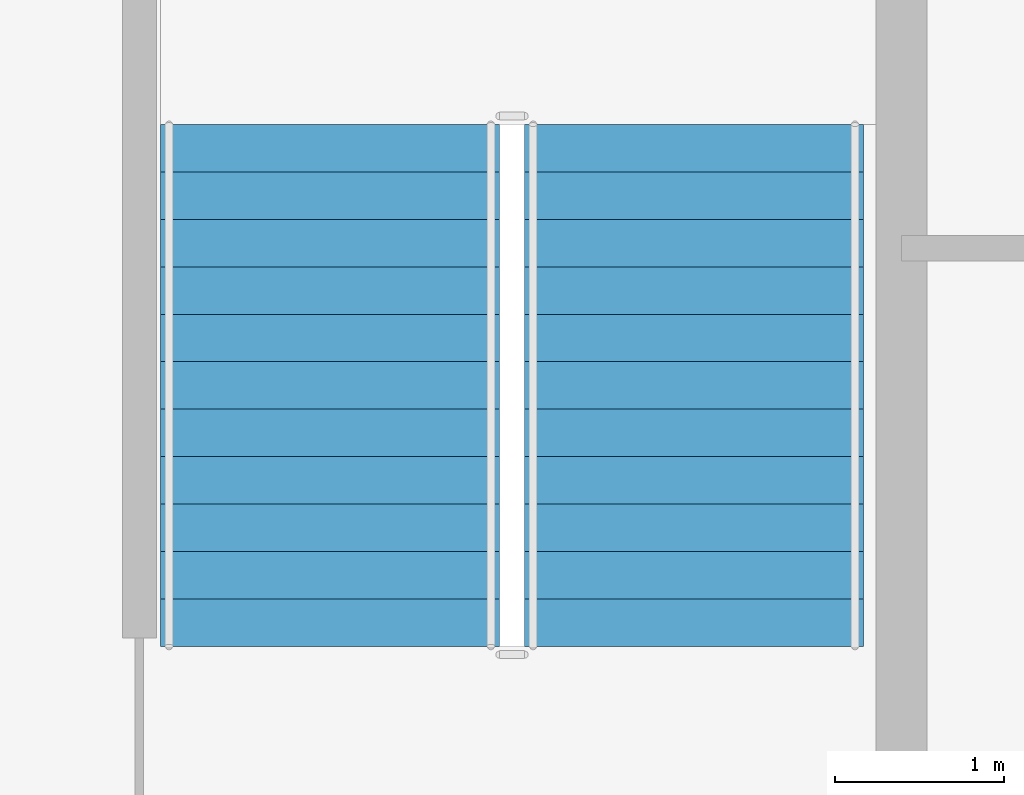
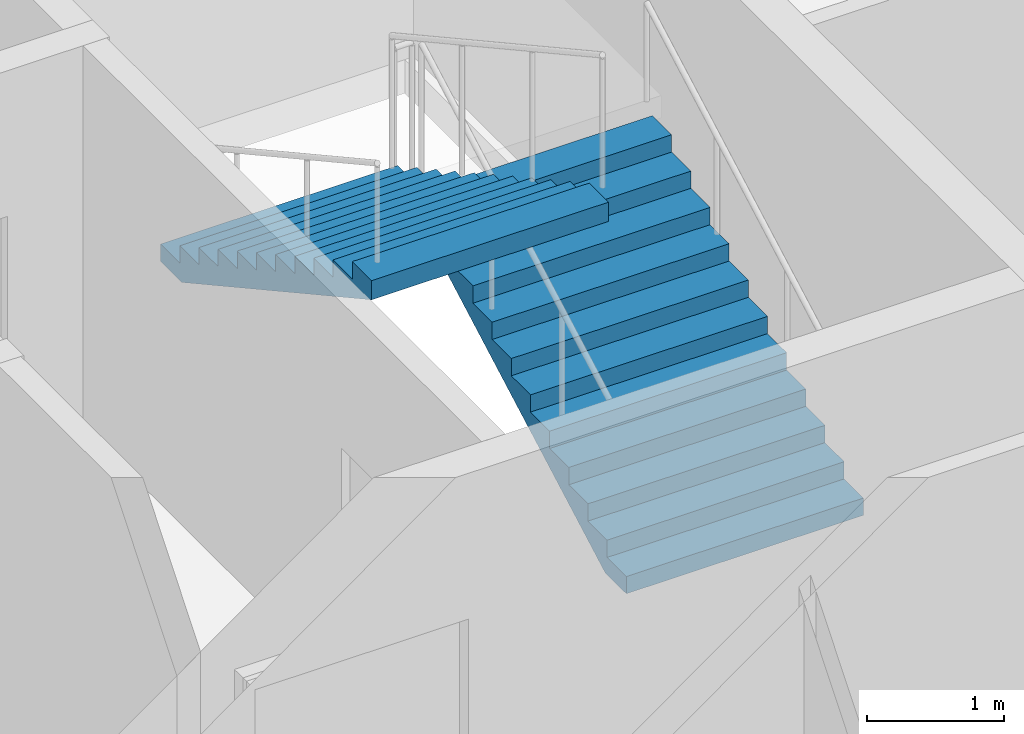
# One storey, part 11 of 13: 2 stair flights, 1 element without a shape of its own.
"""IFC4 building model written with IfcOpenShell, lengths in metres."""

import ifcopenshell
import ifcopenshell.guid

model = None  # the IFC model being written
_history = None  # IfcOwnerHistory: only IFC2X3 demands one
_inside = {}  # id of a spatial element -> (the spatial element, [elements in it])
_under = {}  # id of a project, library or spatial element -> (it, [spatial elements below it])
_declared = {}  # id of a project -> (the project, [libraries it declares])
_typed = {}  # id of a type object -> (the type object, [elements of that type])
_made_of = {}  # id of a material, layer set ... -> (it, [elements and type objects made of it])


def new_model(schema):
    """Start an empty IFC model of exactly this schema.

    Asked for "IFC4X3", IfcOpenShell would pick the latest addendum, in which some entities
    have other attributes; the version numbers below select the first issue.
    IFC2X3 requires an IfcOwnerHistory on every rooted entity: one is made here for all.
    """
    global model, _history
    if schema == "IFC4X3":
        model = ifcopenshell.file(schema_version=(4, 3, 0, 0))
    else:
        model = ifcopenshell.file(schema=schema)
    _inside.clear()
    _under.clear()
    _declared.clear()
    _typed.clear()
    _made_of.clear()
    _history = None
    if model.schema == "IFC2X3":
        org = make("IfcOrganization", Name="unknown")
        user = make(
            "IfcPersonAndOrganization",
            ThePerson=make("IfcPerson", FamilyName="unknown"),
            TheOrganization=org,
        )
        app = make(
            "IfcApplication",
            ApplicationDeveloper=org,
            Version="unknown",
            ApplicationFullName="unknown",
            ApplicationIdentifier="unknown",
        )
        _history = make(
            "IfcOwnerHistory",
            OwningUser=user,
            OwningApplication=app,
            ChangeAction="ADDED",
            CreationDate=0,
        )
    return model


def make(cls, **values):
    """One entity of the class cls with the attributes given. An attribute that is None is left unset."""
    return model.create_entity(
        cls, **{name: value for name, value in values.items() if value is not None}
    )


def rooted(cls, **values):
    """An entity with a GlobalId (a new one), such as an element, a storey or a relation."""
    return make(cls, GlobalId=ifcopenshell.guid.new(), OwnerHistory=_history, **values)


def si_unit(unit_type, name, prefix=None):
    """IfcSIUnit, for example si_unit("LENGTHUNIT", "METRE", prefix="MILLI")."""
    return make("IfcSIUnit", UnitType=unit_type, Prefix=prefix, Name=name)


def assignment(units):
    """IfcUnitAssignment: the units of a project."""
    return None if units is None else make("IfcUnitAssignment", Units=units)


def point(xyz):
    """IfcCartesianPoint."""
    return None if xyz is None else make("IfcCartesianPoint", Coordinates=xyz)


def direction(xyz):
    """IfcDirection."""
    return None if xyz is None else make("IfcDirection", DirectionRatios=xyz)


def frame(location, z_axis=None, x_axis=None):
    """IfcAxis2Placement3D, a coordinate frame: its origin and axes. An axis left out is left unset."""
    return make(
        "IfcAxis2Placement3D",
        Location=point(location),
        Axis=direction(z_axis),
        RefDirection=direction(x_axis),
    )


def origin():
    """The frame at (0, 0, 0) with its axes left unset."""
    return frame((0.0, 0.0, 0.0))


def place(relative_to, where):
    """IfcLocalPlacement: puts the frame where relative to a parent placement (None: the world)."""
    return make(
        "IfcLocalPlacement", PlacementRelTo=relative_to, RelativePlacement=where
    )


def context(
    kind, dimensions, precision=None, world=None, true_north=None, identifier=None
):
    """IfcGeometricRepresentationContext, for example the 3D "Model" context."""
    return make(
        "IfcGeometricRepresentationContext",
        ContextIdentifier=identifier,
        ContextType=kind,
        CoordinateSpaceDimension=dimensions,
        Precision=precision,
        WorldCoordinateSystem=world,
        TrueNorth=true_north,
    )


def subcontext(parent, identifier, kind, view, scale=None):
    """IfcGeometricRepresentationSubContext, for example "Body" below "Model"."""
    return make(
        "IfcGeometricRepresentationSubContext",
        ContextIdentifier=identifier,
        ContextType=kind,
        ParentContext=parent,
        TargetScale=scale,
        TargetView=view,
    )


def project(units=None, contexts=None):
    """IfcProject with its units and contexts."""
    return rooted(
        "IfcProject",
        Name="project",
        RepresentationContexts=contexts,
        UnitsInContext=assignment(units),
    )


def spatial(cls, under=None, at=None, **own):
    """A site, building, storey or space (cls), placed at a placement, below another one or the project."""
    s = rooted(cls, ObjectPlacement=at, **own)
    if under is not None:
        _under.setdefault(under.id(), (under, []))[1].append(s)
    return s


def point_list(points):
    """IfcCartesianPointList2D or 3D."""
    cls = (
        "IfcCartesianPointList2D" if len(points[0]) == 2 else "IfcCartesianPointList3D"
    )
    return make(cls, CoordList=points)


def polygons(points, faces, closed=None, point_numbers=None):
    """IfcPolygonalFaceSet: a face is its outer loop, then its inner loops; points numbered from 1."""
    made = []
    for loops in faces:
        if len(loops) == 1:
            made.append(make("IfcIndexedPolygonalFace", CoordIndex=loops[0]))
        else:
            made.append(
                make(
                    "IfcIndexedPolygonalFaceWithVoids",
                    CoordIndex=loops[0],
                    InnerCoordIndices=loops[1:],
                )
            )
    return make(
        "IfcPolygonalFaceSet",
        Coordinates=point_list(points),
        Closed=closed,
        Faces=made,
        PnIndex=point_numbers,
    )


def shape(context_of_items, identifier, shape_type, items):
    """IfcShapeRepresentation: the items that make up one representation, for example the "Body"."""
    return make(
        "IfcShapeRepresentation",
        ContextOfItems=context_of_items,
        RepresentationIdentifier=identifier,
        RepresentationType=shape_type,
        Items=items,
    )


def material(Name=None, Category=None):
    """IfcMaterial."""
    return make("IfcMaterial", Name=Name, Category=Category)


def made_of(thing, what):
    """Note that an element or type object is made of a material, layer set ...; save() writes the relation."""
    if what is not None:
        _made_of.setdefault(what.id(), (what, []))[1].append(thing)
    return thing


def type_object(cls, material=None, **own):
    """A type object (cls), such as IfcWallType, which elements share."""
    return made_of(rooted(cls, **own), material)


def element(
    cls,
    number,
    at=None,
    inside=None,
    cuts=None,
    type_object=None,
    material=None,
    context=None,
    identifier="Body",
    shape_type=None,
    held_by="IfcProductDefinitionShape",
    body=None,
    shapes=None,
    **own,
):
    """One element of the class cls, such as IfcWall. Its Tag is "e" and its number.

    at: its placement. inside: the storey or other place that contains it. cuts: it is an
    opening in that element (IfcRelVoidsElement). A single representation is given by context,
    identifier, shape_type and body (its items); several are given by shapes. held_by: the class
    of the entity that holds the representations. save() writes the other relations.
    """
    e = rooted(cls, Tag="e%d" % number, ObjectPlacement=at, **own)
    if body is not None:
        shapes = [shape(context, identifier, shape_type, body)]
    if shapes is not None:
        e.Representation = make(held_by, Representations=shapes)
    if inside is not None:
        _inside.setdefault(inside.id(), (inside, []))[1].append(e)
    if cuts is not None:
        rooted(
            "IfcRelVoidsElement", RelatingBuildingElement=cuts, RelatedOpeningElement=e
        )
    if type_object is not None:
        _typed.setdefault(type_object.id(), (type_object, []))[1].append(e)
    return made_of(e, material)


def aggregate(whole, parts):
    """IfcRelAggregates: a whole, such as a stair, and the parts it consists of."""
    return rooted("IfcRelAggregates", RelatingObject=whole, RelatedObjects=parts)


def save(model, path):
    """Write the relations noted so far, then the file.

    IfcRelAggregates (storeys below a building ...), IfcRelContainedInSpatialStructure (elements
    in a storey), IfcRelDefinesByType, IfcRelAssociatesMaterial and IfcRelDeclares: one each for
    every whole, place, type object, material and project.
    """
    for whole, parts in _under.values():
        aggregate(whole, parts)
    for where, things in _inside.values():
        rooted(
            "IfcRelContainedInSpatialStructure",
            RelatedElements=things,
            RelatingStructure=where,
        )
    for kind, things in _typed.values():
        rooted("IfcRelDefinesByType", RelatedObjects=things, RelatingType=kind)
    for what, things in _made_of.values():
        rooted("IfcRelAssociatesMaterial", RelatedObjects=things, RelatingMaterial=what)
    for by, libraries in _declared.values():
        rooted("IfcRelDeclares", RelatingContext=by, RelatedDefinitions=libraries)
    model.write(path)


model = new_model("IFC4")

# Units and contexts
model_context = context("Model", 3, precision=1e-05, world=origin(), true_north=direction((0.0, 1.0)))
body_context = subcontext(model_context, "Body", "Model", "MODEL_VIEW")
ifc_project = project(units=[si_unit("LENGTHUNIT", "METRE"), si_unit("AREAUNIT", "SQUARE_METRE"), si_unit("VOLUMEUNIT", "CUBIC_METRE"), si_unit("PLANEANGLEUNIT", "RADIAN"), si_unit("MASSUNIT", "GRAM", prefix="KILO")], contexts=[model_context])

# Site, building, storey
site_placement = place(None, origin())
site = spatial("IfcSite", under=ifc_project, at=site_placement, CompositionType="ELEMENT")
building_placement = place(site_placement, origin())
building = spatial("IfcBuilding", under=site, at=building_placement, Name="Caravel Reach Hotel and Residences", CompositionType="ELEMENT")
storey_placement = place(building_placement, frame((0.0, 0.0, 154.300048828125)))
storey = spatial("IfcBuildingStorey", under=building, at=storey_placement, Name="L38", CompositionType="ELEMENT", Elevation=154.300048828125)

# Stair, stair flights
ifc_material_1 = material(Name="Concrete C40", Category="concrete")
stair_type = type_object("IfcStairType", Name="Core stair", PredefinedType="HALF_TURN_STAIR", material=ifc_material_1)
stair_placement = place(storey_placement, origin())
stair = element("IfcStair", 1, at=stair_placement, inside=storey, type_object=stair_type, Name="L38 Exit stair B", PredefinedType="HALF_TURN_STAIR")
ifc_material_2 = material(Name="Concrete C40", Category="concrete")
stair_flight_type = type_object("IfcStairFlightType", Name="Core stair flight", PredefinedType="STRAIGHT", material=ifc_material_2)
stair_flight_1_placement = place(storey_placement, frame((43.77490234375, 24.64990234375, 0.0), z_axis=(0.0, 0.0, 1.0), x_axis=(0.0, 1.0, 0.0)))
stair_flight_1 = element("IfcStairFlight", 2, at=stair_flight_1_placement, type_object=stair_flight_type, Name="ST-B flight 1", NumberOfRisers=12, NumberOfTreads=11, PredefinedType="STRAIGHT", RiserHeight=0.154166667, TreadLength=0.28, context=body_context, shape_type="Tessellation", body=[
    polygons([(0.3107950034306102, 1.0, 0.0), (0.3107950034306102, 0.6666666666666667, 0.0), (0.3107950034306102, 0.33333333333333337, 0.0), (0.3107950034306102, 0.0, 0.0), (0.3107950034306102, -0.33333333333333326, 0.0), (0.3107950034306102, -0.6666666666666667, 0.0), (0.3107950034306102, -1.0, 0.0), (3.081, 1.0, 1.524711087717319), (3.081, 0.6666666666666667, 1.524711087717319), (3.081, 0.33333333333333337, 1.524711087717319), (3.081, 0.0, 1.524711087717319), (3.081, -0.33333333333333326, 1.524711087717319), (3.081, -0.6666666666666667, 1.524711087717319), (3.081, -1.0, 1.524711087717319), (3.081, 1.0, 1.695833337), (3.081, 0.6666666666666667, 1.695833337), (3.081, 0.33333333333333337, 1.695833337), (3.081, 0.0, 1.695833337), (3.081, -0.33333333333333326, 1.695833337), (3.081, -0.6666666666666667, 1.695833337), (3.081, -1.0, 1.695833337), (2.8000000000000003, 1.0, 1.695833337), (2.8000000000000003, 0.6666666666666667, 1.695833337), (2.8000000000000003, 0.33333333333333337, 1.695833337), (2.8000000000000003, 0.0, 1.695833337), (2.8000000000000003, -0.33333333333333326, 1.695833337), (2.8000000000000003, -0.6666666666666667, 1.695833337), (2.8000000000000003, -1.0, 1.695833337), (2.8000000000000003, 1.0, 1.5416666700000001), (2.8000000000000003, 0.6666666666666667, 1.5416666700000001), (2.8000000000000003, 0.33333333333333337, 1.5416666700000001), (2.8000000000000003, 0.0, 1.5416666700000001), (2.8000000000000003, -0.33333333333333326, 1.5416666700000001), (2.8000000000000003, -0.6666666666666667, 1.5416666700000001), (2.8000000000000003, -1.0, 1.5416666700000001), (2.5200000000000005, 1.0, 1.5416666700000001), (2.5200000000000005, 0.6666666666666667, 1.5416666700000001), (2.5200000000000005, 0.33333333333333337, 1.5416666700000001), (2.5200000000000005, 0.0, 1.5416666700000001), (2.5200000000000005, -0.33333333333333326, 1.5416666700000001), (2.5200000000000005, -0.6666666666666667, 1.5416666700000001), (2.5200000000000005, -1.0, 1.5416666700000001), (2.5200000000000005, 1.0, 1.387500003), (2.5200000000000005, 0.6666666666666667, 1.387500003), (2.5200000000000005, 0.33333333333333337, 1.387500003), (2.5200000000000005, 0.0, 1.387500003), (2.5200000000000005, -0.33333333333333326, 1.387500003), (2.5200000000000005, -0.6666666666666667, 1.387500003), (2.5200000000000005, -1.0, 1.387500003), (2.24, 1.0, 1.387500003), (2.24, 0.6666666666666667, 1.387500003), (2.24, 0.33333333333333337, 1.387500003), (2.24, 0.0, 1.387500003), (2.24, -0.33333333333333326, 1.387500003), (2.24, -0.6666666666666667, 1.387500003), (2.24, -1.0, 1.387500003), (2.24, 1.0, 1.233333336), (2.24, 0.6666666666666667, 1.233333336), (2.24, 0.33333333333333337, 1.233333336), (2.24, 0.0, 1.233333336), (2.24, -0.33333333333333326, 1.233333336), (2.24, -0.6666666666666667, 1.233333336), (2.24, -1.0, 1.233333336), (1.9600000000000002, 1.0, 1.233333336), (1.9600000000000002, 0.6666666666666667, 1.233333336), (1.9600000000000002, 0.33333333333333337, 1.233333336), (1.9600000000000002, 0.0, 1.233333336), (1.9600000000000002, -0.33333333333333326, 1.233333336), (1.9600000000000002, -0.6666666666666667, 1.233333336), (1.9600000000000002, -1.0, 1.233333336), (1.9600000000000002, 1.0, 1.0791666690000001), (1.9600000000000002, 0.6666666666666667, 1.0791666690000001), (1.9600000000000002, 0.33333333333333337, 1.0791666690000001), (1.9600000000000002, 0.0, 1.0791666690000001), (1.9600000000000002, -0.33333333333333326, 1.0791666690000001), (1.9600000000000002, -0.6666666666666667, 1.0791666690000001), (1.9600000000000002, -1.0, 1.0791666690000001), (1.6800000000000002, 1.0, 1.0791666690000001), (1.6800000000000002, 0.6666666666666667, 1.0791666690000001), (1.6800000000000002, 0.33333333333333337, 1.0791666690000001), (1.6800000000000002, 0.0, 1.0791666690000001), (1.6800000000000002, -0.33333333333333326, 1.0791666690000001), (1.6800000000000002, -0.6666666666666667, 1.0791666690000001), (1.6800000000000002, -1.0, 1.0791666690000001), (1.6800000000000002, 1.0, 0.925000002), (1.6800000000000002, 0.6666666666666667, 0.925000002), (1.6800000000000002, 0.33333333333333337, 0.925000002), (1.6800000000000002, 0.0, 0.925000002), (1.6800000000000002, -0.33333333333333326, 0.925000002), (1.6800000000000002, -0.6666666666666667, 0.925000002), (1.6800000000000002, -1.0, 0.925000002), (1.4000000000000001, 1.0, 0.925000002), (1.4000000000000001, 0.6666666666666667, 0.925000002), (1.4000000000000001, 0.33333333333333337, 0.925000002), (1.4000000000000001, 0.0, 0.925000002), (1.4000000000000001, -0.33333333333333326, 0.925000002), (1.4000000000000001, -0.6666666666666667, 0.925000002), (1.4000000000000001, -1.0, 0.925000002), (1.4000000000000001, 1.0, 0.7708333350000001), (1.4000000000000001, 0.6666666666666667, 0.7708333350000001), (1.4000000000000001, 0.33333333333333337, 0.7708333350000001), (1.4000000000000001, 0.0, 0.7708333350000001), (1.4000000000000001, -0.33333333333333326, 0.7708333350000001), (1.4000000000000001, -0.6666666666666667, 0.7708333350000001), (1.4000000000000001, -1.0, 0.7708333350000001), (1.12, 1.0, 0.7708333350000001), (1.12, 0.6666666666666667, 0.7708333350000001), (1.12, 0.33333333333333337, 0.7708333350000001), (1.12, 0.0, 0.7708333350000001), (1.12, -0.33333333333333326, 0.7708333350000001), (1.12, -0.6666666666666667, 0.7708333350000001), (1.12, -1.0, 0.7708333350000001), (1.12, 1.0, 0.616666668), (1.12, 0.6666666666666667, 0.616666668), (1.12, 0.33333333333333337, 0.616666668), (1.12, 0.0, 0.616666668), (1.12, -0.33333333333333326, 0.616666668), (1.12, -0.6666666666666667, 0.616666668), (1.12, -1.0, 0.616666668), (0.8400000000000001, 1.0, 0.616666668), (0.8400000000000001, 0.6666666666666667, 0.616666668), (0.8400000000000001, 0.33333333333333337, 0.616666668), (0.8400000000000001, 0.0, 0.616666668), (0.8400000000000001, -0.33333333333333326, 0.616666668), (0.8400000000000001, -0.6666666666666667, 0.616666668), (0.8400000000000001, -1.0, 0.616666668), (0.8400000000000001, 1.0, 0.462500001), (0.8400000000000001, 0.6666666666666667, 0.462500001), (0.8400000000000001, 0.33333333333333337, 0.462500001), (0.8400000000000001, 0.0, 0.462500001), (0.8400000000000001, -0.33333333333333326, 0.462500001), (0.8400000000000001, -0.6666666666666667, 0.462500001), (0.8400000000000001, -1.0, 0.462500001), (0.56, 1.0, 0.462500001), (0.56, 0.6666666666666667, 0.462500001), (0.56, 0.33333333333333337, 0.462500001), (0.56, 0.0, 0.462500001), (0.56, -0.33333333333333326, 0.462500001), (0.56, -0.6666666666666667, 0.462500001), (0.56, -1.0, 0.462500001), (0.56, 1.0, 0.308333334), (0.56, 0.6666666666666667, 0.308333334), (0.56, 0.33333333333333337, 0.308333334), (0.56, 0.0, 0.308333334), (0.56, -0.33333333333333326, 0.308333334), (0.56, -0.6666666666666667, 0.308333334), (0.56, -1.0, 0.308333334), (0.28, 1.0, 0.308333334), (0.28, 0.6666666666666667, 0.308333334), (0.28, 0.33333333333333337, 0.308333334), (0.28, 0.0, 0.308333334), (0.28, -0.33333333333333326, 0.308333334), (0.28, -0.6666666666666667, 0.308333334), (0.28, -1.0, 0.308333334), (0.28, 1.0, 0.154166667), (0.28, 0.6666666666666667, 0.154166667), (0.28, 0.33333333333333337, 0.154166667), (0.28, 0.0, 0.154166667), (0.28, -0.33333333333333326, 0.154166667), (0.28, -0.6666666666666667, 0.154166667), (0.28, -1.0, 0.154166667), (-0.001, 1.0, 0.154166667), (-0.001, 0.6666666666666667, 0.154166667), (-0.001, 0.33333333333333337, 0.154166667), (-0.001, 0.0, 0.154166667), (-0.001, -0.33333333333333326, 0.154166667), (-0.001, -0.6666666666666667, 0.154166667), (-0.001, -1.0, 0.154166667), (-0.001, 1.0, 0.0), (-0.001, 0.6666666666666667, 0.0), (-0.001, 0.33333333333333337, 0.0), (-0.001, 0.0, 0.0), (-0.001, -0.33333333333333326, 0.0), (-0.001, -0.6666666666666667, 0.0), (-0.001, -1.0, 0.0)], [[[169, 162, 155, 148, 141, 134, 127, 120, 113, 106, 99, 92, 85, 78, 71, 64, 57, 50, 43, 36, 29, 22, 15, 8, 1]], [[7, 14, 21, 28, 35, 42, 49, 56, 63, 70, 77, 84, 91, 98, 105, 112, 119, 126, 133, 140, 147, 154, 161, 168, 175]], [[1, 8, 9, 2]], [[2, 9, 10, 3]], [[3, 10, 11, 4]], [[4, 11, 12, 5]], [[5, 12, 13, 6]], [[6, 13, 14, 7]], [[8, 15, 16, 9]], [[9, 16, 17, 10]], [[10, 17, 18, 11]], [[11, 18, 19, 12]], [[12, 19, 20, 13]], [[13, 20, 21, 14]], [[15, 22, 23, 16]], [[16, 23, 24, 17]], [[17, 24, 25, 18]], [[18, 25, 26, 19]], [[19, 26, 27, 20]], [[20, 27, 28, 21]], [[22, 29, 30, 23]], [[23, 30, 31, 24]], [[24, 31, 32, 25]], [[25, 32, 33, 26]], [[26, 33, 34, 27]], [[27, 34, 35, 28]], [[29, 36, 37, 30]], [[30, 37, 38, 31]], [[31, 38, 39, 32]], [[32, 39, 40, 33]], [[33, 40, 41, 34]], [[34, 41, 42, 35]], [[36, 43, 44, 37]], [[37, 44, 45, 38]], [[38, 45, 46, 39]], [[39, 46, 47, 40]], [[40, 47, 48, 41]], [[41, 48, 49, 42]], [[43, 50, 51, 44]], [[44, 51, 52, 45]], [[45, 52, 53, 46]], [[46, 53, 54, 47]], [[47, 54, 55, 48]], [[48, 55, 56, 49]], [[50, 57, 58, 51]], [[51, 58, 59, 52]], [[52, 59, 60, 53]], [[53, 60, 61, 54]], [[54, 61, 62, 55]], [[55, 62, 63, 56]], [[57, 64, 65, 58]], [[58, 65, 66, 59]], [[59, 66, 67, 60]], [[60, 67, 68, 61]], [[61, 68, 69, 62]], [[62, 69, 70, 63]], [[64, 71, 72, 65]], [[65, 72, 73, 66]], [[66, 73, 74, 67]], [[67, 74, 75, 68]], [[68, 75, 76, 69]], [[69, 76, 77, 70]], [[71, 78, 79, 72]], [[72, 79, 80, 73]], [[73, 80, 81, 74]], [[74, 81, 82, 75]], [[75, 82, 83, 76]], [[76, 83, 84, 77]], [[78, 85, 86, 79]], [[79, 86, 87, 80]], [[80, 87, 88, 81]], [[81, 88, 89, 82]], [[82, 89, 90, 83]], [[83, 90, 91, 84]], [[85, 92, 93, 86]], [[86, 93, 94, 87]], [[87, 94, 95, 88]], [[88, 95, 96, 89]], [[89, 96, 97, 90]], [[90, 97, 98, 91]], [[92, 99, 100, 93]], [[93, 100, 101, 94]], [[94, 101, 102, 95]], [[95, 102, 103, 96]], [[96, 103, 104, 97]], [[97, 104, 105, 98]], [[99, 106, 107, 100]], [[100, 107, 108, 101]], [[101, 108, 109, 102]], [[102, 109, 110, 103]], [[103, 110, 111, 104]], [[104, 111, 112, 105]], [[106, 113, 114, 107]], [[107, 114, 115, 108]], [[108, 115, 116, 109]], [[109, 116, 117, 110]], [[110, 117, 118, 111]], [[111, 118, 119, 112]], [[113, 120, 121, 114]], [[114, 121, 122, 115]], [[115, 122, 123, 116]], [[116, 123, 124, 117]], [[117, 124, 125, 118]], [[118, 125, 126, 119]], [[120, 127, 128, 121]], [[121, 128, 129, 122]], [[122, 129, 130, 123]], [[123, 130, 131, 124]], [[124, 131, 132, 125]], [[125, 132, 133, 126]], [[127, 134, 135, 128]], [[128, 135, 136, 129]], [[129, 136, 137, 130]], [[130, 137, 138, 131]], [[131, 138, 139, 132]], [[132, 139, 140, 133]], [[134, 141, 142, 135]], [[135, 142, 143, 136]], [[136, 143, 144, 137]], [[137, 144, 145, 138]], [[138, 145, 146, 139]], [[139, 146, 147, 140]], [[141, 148, 149, 142]], [[142, 149, 150, 143]], [[143, 150, 151, 144]], [[144, 151, 152, 145]], [[145, 152, 153, 146]], [[146, 153, 154, 147]], [[148, 155, 156, 149]], [[149, 156, 157, 150]], [[150, 157, 158, 151]], [[151, 158, 159, 152]], [[152, 159, 160, 153]], [[153, 160, 161, 154]], [[155, 162, 163, 156]], [[156, 163, 164, 157]], [[157, 164, 165, 158]], [[158, 165, 166, 159]], [[159, 166, 167, 160]], [[160, 167, 168, 161]], [[162, 169, 170, 163]], [[163, 170, 171, 164]], [[164, 171, 172, 165]], [[165, 172, 173, 166]], [[166, 173, 174, 167]], [[167, 174, 175, 168]], [[169, 1, 2, 170]], [[170, 2, 3, 171]], [[171, 3, 4, 172]], [[172, 4, 5, 173]], [[173, 5, 6, 174]], [[174, 6, 7, 175]]], closed=True),
])
stair_flight_2_placement = place(storey_placement, frame((41.625, 27.72998046875, 1.849853515625), z_axis=(0.0, 0.0, 1.0), x_axis=(0.0, -1.0, 0.0)))
stair_flight_2 = element("IfcStairFlight", 3, at=stair_flight_2_placement, type_object=stair_flight_type, Name="ST-B flight 2", NumberOfRisers=12, NumberOfTreads=11, PredefinedType="STRAIGHT", RiserHeight=0.154166667, TreadLength=0.28, context=body_context, shape_type="Tessellation", body=[
    polygons([(0.3107950034306102, 1.0, 0.0), (0.3107950034306102, 0.6666666666666667, 0.0), (0.3107950034306102, 0.33333333333333337, 0.0), (0.3107950034306102, 0.0, 0.0), (0.3107950034306102, -0.33333333333333326, 0.0), (0.3107950034306102, -0.6666666666666667, 0.0), (0.3107950034306102, -1.0, 0.0), (3.081, 1.0, 1.524711087717319), (3.081, 0.6666666666666667, 1.524711087717319), (3.081, 0.33333333333333337, 1.524711087717319), (3.081, 0.0, 1.524711087717319), (3.081, -0.33333333333333326, 1.524711087717319), (3.081, -0.6666666666666667, 1.524711087717319), (3.081, -1.0, 1.524711087717319), (3.081, 1.0, 1.695833337), (3.081, 0.6666666666666667, 1.695833337), (3.081, 0.33333333333333337, 1.695833337), (3.081, 0.0, 1.695833337), (3.081, -0.33333333333333326, 1.695833337), (3.081, -0.6666666666666667, 1.695833337), (3.081, -1.0, 1.695833337), (2.8000000000000003, 1.0, 1.695833337), (2.8000000000000003, 0.6666666666666667, 1.695833337), (2.8000000000000003, 0.33333333333333337, 1.695833337), (2.8000000000000003, 0.0, 1.695833337), (2.8000000000000003, -0.33333333333333326, 1.695833337), (2.8000000000000003, -0.6666666666666667, 1.695833337), (2.8000000000000003, -1.0, 1.695833337), (2.8000000000000003, 1.0, 1.5416666700000001), (2.8000000000000003, 0.6666666666666667, 1.5416666700000001), (2.8000000000000003, 0.33333333333333337, 1.5416666700000001), (2.8000000000000003, 0.0, 1.5416666700000001), (2.8000000000000003, -0.33333333333333326, 1.5416666700000001), (2.8000000000000003, -0.6666666666666667, 1.5416666700000001), (2.8000000000000003, -1.0, 1.5416666700000001), (2.5200000000000005, 1.0, 1.5416666700000001), (2.5200000000000005, 0.6666666666666667, 1.5416666700000001), (2.5200000000000005, 0.33333333333333337, 1.5416666700000001), (2.5200000000000005, 0.0, 1.5416666700000001), (2.5200000000000005, -0.33333333333333326, 1.5416666700000001), (2.5200000000000005, -0.6666666666666667, 1.5416666700000001), (2.5200000000000005, -1.0, 1.5416666700000001), (2.5200000000000005, 1.0, 1.387500003), (2.5200000000000005, 0.6666666666666667, 1.387500003), (2.5200000000000005, 0.33333333333333337, 1.387500003), (2.5200000000000005, 0.0, 1.387500003), (2.5200000000000005, -0.33333333333333326, 1.387500003), (2.5200000000000005, -0.6666666666666667, 1.387500003), (2.5200000000000005, -1.0, 1.387500003), (2.24, 1.0, 1.387500003), (2.24, 0.6666666666666667, 1.387500003), (2.24, 0.33333333333333337, 1.387500003), (2.24, 0.0, 1.387500003), (2.24, -0.33333333333333326, 1.387500003), (2.24, -0.6666666666666667, 1.387500003), (2.24, -1.0, 1.387500003), (2.24, 1.0, 1.233333336), (2.24, 0.6666666666666667, 1.233333336), (2.24, 0.33333333333333337, 1.233333336), (2.24, 0.0, 1.233333336), (2.24, -0.33333333333333326, 1.233333336), (2.24, -0.6666666666666667, 1.233333336), (2.24, -1.0, 1.233333336), (1.9600000000000002, 1.0, 1.233333336), (1.9600000000000002, 0.6666666666666667, 1.233333336), (1.9600000000000002, 0.33333333333333337, 1.233333336), (1.9600000000000002, 0.0, 1.233333336), (1.9600000000000002, -0.33333333333333326, 1.233333336), (1.9600000000000002, -0.6666666666666667, 1.233333336), (1.9600000000000002, -1.0, 1.233333336), (1.9600000000000002, 1.0, 1.0791666690000001), (1.9600000000000002, 0.6666666666666667, 1.0791666690000001), (1.9600000000000002, 0.33333333333333337, 1.0791666690000001), (1.9600000000000002, 0.0, 1.0791666690000001), (1.9600000000000002, -0.33333333333333326, 1.0791666690000001), (1.9600000000000002, -0.6666666666666667, 1.0791666690000001), (1.9600000000000002, -1.0, 1.0791666690000001), (1.6800000000000002, 1.0, 1.0791666690000001), (1.6800000000000002, 0.6666666666666667, 1.0791666690000001), (1.6800000000000002, 0.33333333333333337, 1.0791666690000001), (1.6800000000000002, 0.0, 1.0791666690000001), (1.6800000000000002, -0.33333333333333326, 1.0791666690000001), (1.6800000000000002, -0.6666666666666667, 1.0791666690000001), (1.6800000000000002, -1.0, 1.0791666690000001), (1.6800000000000002, 1.0, 0.925000002), (1.6800000000000002, 0.6666666666666667, 0.925000002), (1.6800000000000002, 0.33333333333333337, 0.925000002), (1.6800000000000002, 0.0, 0.925000002), (1.6800000000000002, -0.33333333333333326, 0.925000002), (1.6800000000000002, -0.6666666666666667, 0.925000002), (1.6800000000000002, -1.0, 0.925000002), (1.4000000000000001, 1.0, 0.925000002), (1.4000000000000001, 0.6666666666666667, 0.925000002), (1.4000000000000001, 0.33333333333333337, 0.925000002), (1.4000000000000001, 0.0, 0.925000002), (1.4000000000000001, -0.33333333333333326, 0.925000002), (1.4000000000000001, -0.6666666666666667, 0.925000002), (1.4000000000000001, -1.0, 0.925000002), (1.4000000000000001, 1.0, 0.7708333350000001), (1.4000000000000001, 0.6666666666666667, 0.7708333350000001), (1.4000000000000001, 0.33333333333333337, 0.7708333350000001), (1.4000000000000001, 0.0, 0.7708333350000001), (1.4000000000000001, -0.33333333333333326, 0.7708333350000001), (1.4000000000000001, -0.6666666666666667, 0.7708333350000001), (1.4000000000000001, -1.0, 0.7708333350000001), (1.12, 1.0, 0.7708333350000001), (1.12, 0.6666666666666667, 0.7708333350000001), (1.12, 0.33333333333333337, 0.7708333350000001), (1.12, 0.0, 0.7708333350000001), (1.12, -0.33333333333333326, 0.7708333350000001), (1.12, -0.6666666666666667, 0.7708333350000001), (1.12, -1.0, 0.7708333350000001), (1.12, 1.0, 0.616666668), (1.12, 0.6666666666666667, 0.616666668), (1.12, 0.33333333333333337, 0.616666668), (1.12, 0.0, 0.616666668), (1.12, -0.33333333333333326, 0.616666668), (1.12, -0.6666666666666667, 0.616666668), (1.12, -1.0, 0.616666668), (0.8400000000000001, 1.0, 0.616666668), (0.8400000000000001, 0.6666666666666667, 0.616666668), (0.8400000000000001, 0.33333333333333337, 0.616666668), (0.8400000000000001, 0.0, 0.616666668), (0.8400000000000001, -0.33333333333333326, 0.616666668), (0.8400000000000001, -0.6666666666666667, 0.616666668), (0.8400000000000001, -1.0, 0.616666668), (0.8400000000000001, 1.0, 0.462500001), (0.8400000000000001, 0.6666666666666667, 0.462500001), (0.8400000000000001, 0.33333333333333337, 0.462500001), (0.8400000000000001, 0.0, 0.462500001), (0.8400000000000001, -0.33333333333333326, 0.462500001), (0.8400000000000001, -0.6666666666666667, 0.462500001), (0.8400000000000001, -1.0, 0.462500001), (0.56, 1.0, 0.462500001), (0.56, 0.6666666666666667, 0.462500001), (0.56, 0.33333333333333337, 0.462500001), (0.56, 0.0, 0.462500001), (0.56, -0.33333333333333326, 0.462500001), (0.56, -0.6666666666666667, 0.462500001), (0.56, -1.0, 0.462500001), (0.56, 1.0, 0.308333334), (0.56, 0.6666666666666667, 0.308333334), (0.56, 0.33333333333333337, 0.308333334), (0.56, 0.0, 0.308333334), (0.56, -0.33333333333333326, 0.308333334), (0.56, -0.6666666666666667, 0.308333334), (0.56, -1.0, 0.308333334), (0.28, 1.0, 0.308333334), (0.28, 0.6666666666666667, 0.308333334), (0.28, 0.33333333333333337, 0.308333334), (0.28, 0.0, 0.308333334), (0.28, -0.33333333333333326, 0.308333334), (0.28, -0.6666666666666667, 0.308333334), (0.28, -1.0, 0.308333334), (0.28, 1.0, 0.154166667), (0.28, 0.6666666666666667, 0.154166667), (0.28, 0.33333333333333337, 0.154166667), (0.28, 0.0, 0.154166667), (0.28, -0.33333333333333326, 0.154166667), (0.28, -0.6666666666666667, 0.154166667), (0.28, -1.0, 0.154166667), (-0.001, 1.0, 0.154166667), (-0.001, 0.6666666666666667, 0.154166667), (-0.001, 0.33333333333333337, 0.154166667), (-0.001, 0.0, 0.154166667), (-0.001, -0.33333333333333326, 0.154166667), (-0.001, -0.6666666666666667, 0.154166667), (-0.001, -1.0, 0.154166667), (-0.001, 1.0, 0.0), (-0.001, 0.6666666666666667, 0.0), (-0.001, 0.33333333333333337, 0.0), (-0.001, 0.0, 0.0), (-0.001, -0.33333333333333326, 0.0), (-0.001, -0.6666666666666667, 0.0), (-0.001, -1.0, 0.0)], [[[169, 162, 155, 148, 141, 134, 127, 120, 113, 106, 99, 92, 85, 78, 71, 64, 57, 50, 43, 36, 29, 22, 15, 8, 1]], [[7, 14, 21, 28, 35, 42, 49, 56, 63, 70, 77, 84, 91, 98, 105, 112, 119, 126, 133, 140, 147, 154, 161, 168, 175]], [[1, 8, 9, 2]], [[2, 9, 10, 3]], [[3, 10, 11, 4]], [[4, 11, 12, 5]], [[5, 12, 13, 6]], [[6, 13, 14, 7]], [[8, 15, 16, 9]], [[9, 16, 17, 10]], [[10, 17, 18, 11]], [[11, 18, 19, 12]], [[12, 19, 20, 13]], [[13, 20, 21, 14]], [[15, 22, 23, 16]], [[16, 23, 24, 17]], [[17, 24, 25, 18]], [[18, 25, 26, 19]], [[19, 26, 27, 20]], [[20, 27, 28, 21]], [[22, 29, 30, 23]], [[23, 30, 31, 24]], [[24, 31, 32, 25]], [[25, 32, 33, 26]], [[26, 33, 34, 27]], [[27, 34, 35, 28]], [[29, 36, 37, 30]], [[30, 37, 38, 31]], [[31, 38, 39, 32]], [[32, 39, 40, 33]], [[33, 40, 41, 34]], [[34, 41, 42, 35]], [[36, 43, 44, 37]], [[37, 44, 45, 38]], [[38, 45, 46, 39]], [[39, 46, 47, 40]], [[40, 47, 48, 41]], [[41, 48, 49, 42]], [[43, 50, 51, 44]], [[44, 51, 52, 45]], [[45, 52, 53, 46]], [[46, 53, 54, 47]], [[47, 54, 55, 48]], [[48, 55, 56, 49]], [[50, 57, 58, 51]], [[51, 58, 59, 52]], [[52, 59, 60, 53]], [[53, 60, 61, 54]], [[54, 61, 62, 55]], [[55, 62, 63, 56]], [[57, 64, 65, 58]], [[58, 65, 66, 59]], [[59, 66, 67, 60]], [[60, 67, 68, 61]], [[61, 68, 69, 62]], [[62, 69, 70, 63]], [[64, 71, 72, 65]], [[65, 72, 73, 66]], [[66, 73, 74, 67]], [[67, 74, 75, 68]], [[68, 75, 76, 69]], [[69, 76, 77, 70]], [[71, 78, 79, 72]], [[72, 79, 80, 73]], [[73, 80, 81, 74]], [[74, 81, 82, 75]], [[75, 82, 83, 76]], [[76, 83, 84, 77]], [[78, 85, 86, 79]], [[79, 86, 87, 80]], [[80, 87, 88, 81]], [[81, 88, 89, 82]], [[82, 89, 90, 83]], [[83, 90, 91, 84]], [[85, 92, 93, 86]], [[86, 93, 94, 87]], [[87, 94, 95, 88]], [[88, 95, 96, 89]], [[89, 96, 97, 90]], [[90, 97, 98, 91]], [[92, 99, 100, 93]], [[93, 100, 101, 94]], [[94, 101, 102, 95]], [[95, 102, 103, 96]], [[96, 103, 104, 97]], [[97, 104, 105, 98]], [[99, 106, 107, 100]], [[100, 107, 108, 101]], [[101, 108, 109, 102]], [[102, 109, 110, 103]], [[103, 110, 111, 104]], [[104, 111, 112, 105]], [[106, 113, 114, 107]], [[107, 114, 115, 108]], [[108, 115, 116, 109]], [[109, 116, 117, 110]], [[110, 117, 118, 111]], [[111, 118, 119, 112]], [[113, 120, 121, 114]], [[114, 121, 122, 115]], [[115, 122, 123, 116]], [[116, 123, 124, 117]], [[117, 124, 125, 118]], [[118, 125, 126, 119]], [[120, 127, 128, 121]], [[121, 128, 129, 122]], [[122, 129, 130, 123]], [[123, 130, 131, 124]], [[124, 131, 132, 125]], [[125, 132, 133, 126]], [[127, 134, 135, 128]], [[128, 135, 136, 129]], [[129, 136, 137, 130]], [[130, 137, 138, 131]], [[131, 138, 139, 132]], [[132, 139, 140, 133]], [[134, 141, 142, 135]], [[135, 142, 143, 136]], [[136, 143, 144, 137]], [[137, 144, 145, 138]], [[138, 145, 146, 139]], [[139, 146, 147, 140]], [[141, 148, 149, 142]], [[142, 149, 150, 143]], [[143, 150, 151, 144]], [[144, 151, 152, 145]], [[145, 152, 153, 146]], [[146, 153, 154, 147]], [[148, 155, 156, 149]], [[149, 156, 157, 150]], [[150, 157, 158, 151]], [[151, 158, 159, 152]], [[152, 159, 160, 153]], [[153, 160, 161, 154]], [[155, 162, 163, 156]], [[156, 163, 164, 157]], [[157, 164, 165, 158]], [[158, 165, 166, 159]], [[159, 166, 167, 160]], [[160, 167, 168, 161]], [[162, 169, 170, 163]], [[163, 170, 171, 164]], [[164, 171, 172, 165]], [[165, 172, 173, 166]], [[166, 173, 174, 167]], [[167, 174, 175, 168]], [[169, 1, 2, 170]], [[170, 2, 3, 171]], [[171, 3, 4, 172]], [[172, 4, 5, 173]], [[173, 5, 6, 174]], [[174, 6, 7, 175]]], closed=True),
])
aggregate(stair, [stair_flight_1, stair_flight_2])

save(model, "model.ifc")
